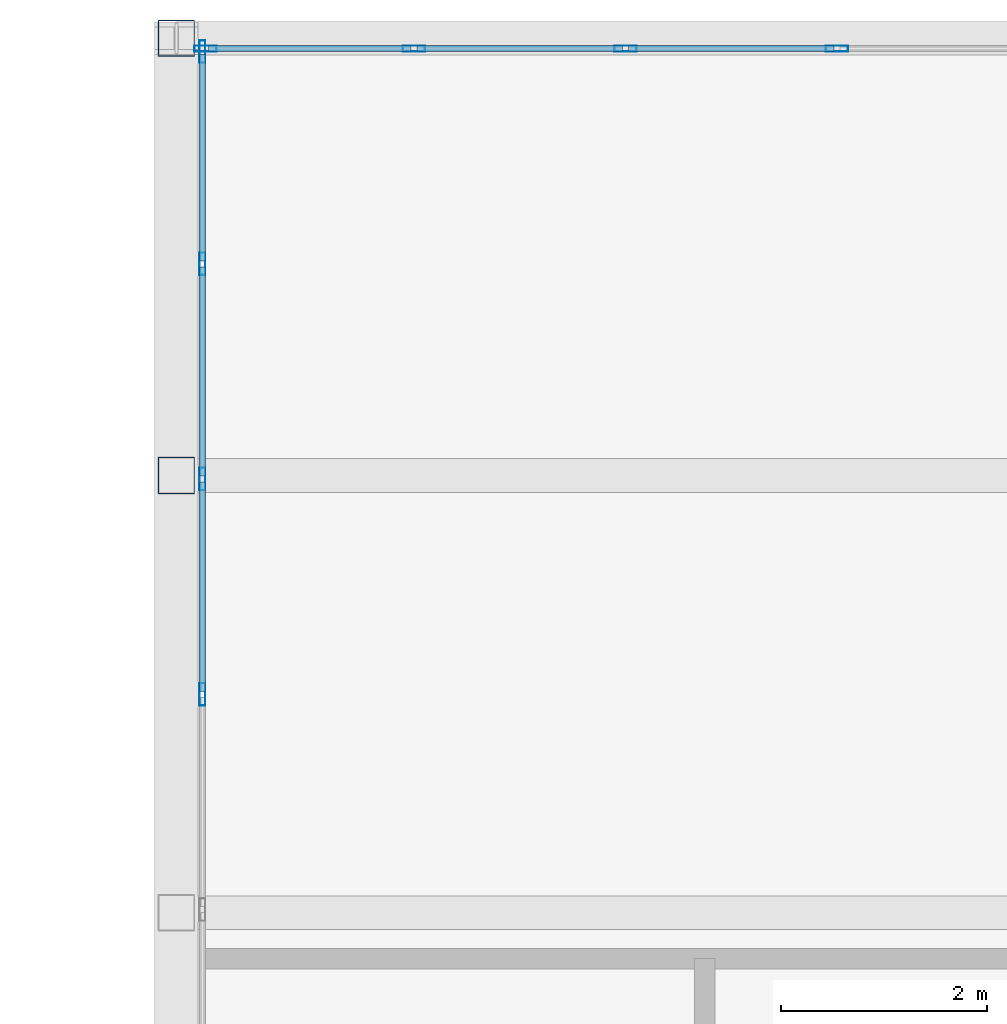
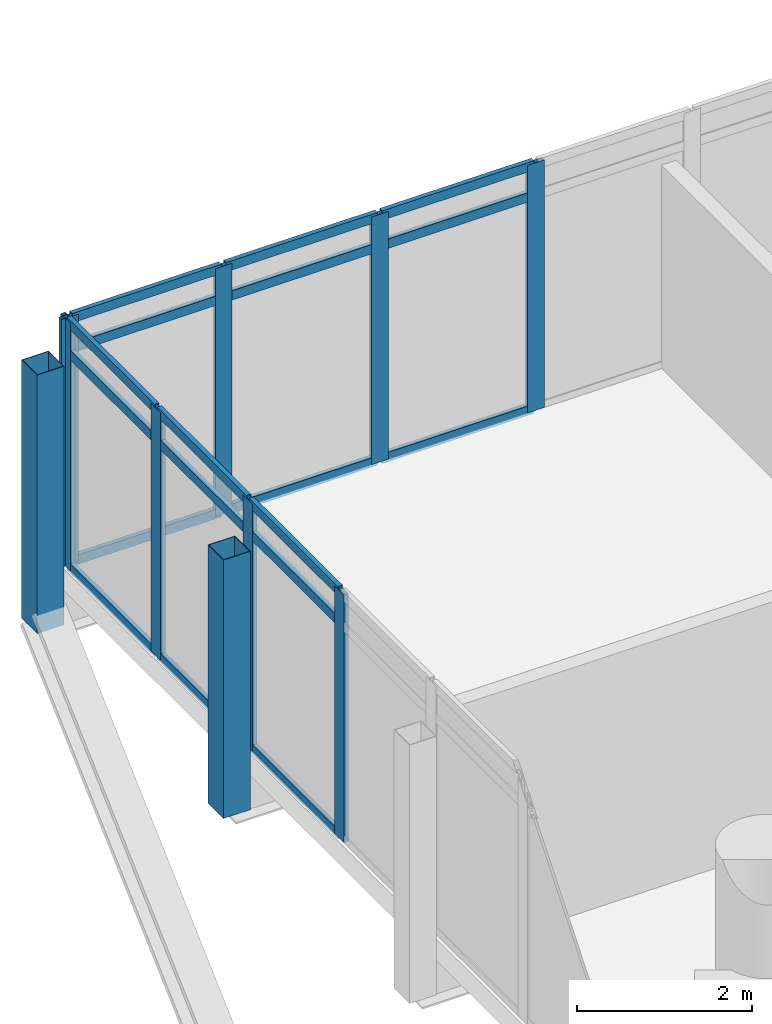
# One storey, part 18 of 37: 28 members, 2 elements without a shape of their own.
"""IFC4 building model written with IfcOpenShell, lengths in metres."""

import ifcopenshell
import ifcopenshell.guid

model = None  # the IFC model being written
_history = None  # IfcOwnerHistory: only IFC2X3 demands one
_inside = {}  # id of a spatial element -> (the spatial element, [elements in it])
_under = {}  # id of a project, library or spatial element -> (it, [spatial elements below it])
_declared = {}  # id of a project -> (the project, [libraries it declares])
_typed = {}  # id of a type object -> (the type object, [elements of that type])
_made_of = {}  # id of a material, layer set ... -> (it, [elements and type objects made of it])


def new_model(schema):
    """Start an empty IFC model of exactly this schema.

    Asked for "IFC4X3", IfcOpenShell would pick the latest addendum, in which some entities
    have other attributes; the version numbers below select the first issue.
    IFC2X3 requires an IfcOwnerHistory on every rooted entity: one is made here for all.
    """
    global model, _history
    if schema == "IFC4X3":
        model = ifcopenshell.file(schema_version=(4, 3, 0, 0))
    else:
        model = ifcopenshell.file(schema=schema)
    _inside.clear()
    _under.clear()
    _declared.clear()
    _typed.clear()
    _made_of.clear()
    _history = None
    if model.schema == "IFC2X3":
        org = make("IfcOrganization", Name="unknown")
        user = make(
            "IfcPersonAndOrganization",
            ThePerson=make("IfcPerson", FamilyName="unknown"),
            TheOrganization=org,
        )
        app = make(
            "IfcApplication",
            ApplicationDeveloper=org,
            Version="unknown",
            ApplicationFullName="unknown",
            ApplicationIdentifier="unknown",
        )
        _history = make(
            "IfcOwnerHistory",
            OwningUser=user,
            OwningApplication=app,
            ChangeAction="ADDED",
            CreationDate=0,
        )
    return model


def make(cls, **values):
    """One entity of the class cls with the attributes given. An attribute that is None is left unset."""
    return model.create_entity(
        cls, **{name: value for name, value in values.items() if value is not None}
    )


def rooted(cls, **values):
    """An entity with a GlobalId (a new one), such as an element, a storey or a relation."""
    return make(cls, GlobalId=ifcopenshell.guid.new(), OwnerHistory=_history, **values)


def si_unit(unit_type, name, prefix=None):
    """IfcSIUnit, for example si_unit("LENGTHUNIT", "METRE", prefix="MILLI")."""
    return make("IfcSIUnit", UnitType=unit_type, Prefix=prefix, Name=name)


def assignment(units):
    """IfcUnitAssignment: the units of a project."""
    return None if units is None else make("IfcUnitAssignment", Units=units)


def point(xyz):
    """IfcCartesianPoint."""
    return None if xyz is None else make("IfcCartesianPoint", Coordinates=xyz)


def direction(xyz):
    """IfcDirection."""
    return None if xyz is None else make("IfcDirection", DirectionRatios=xyz)


def frame(location, z_axis=None, x_axis=None):
    """IfcAxis2Placement3D, a coordinate frame: its origin and axes. An axis left out is left unset."""
    return make(
        "IfcAxis2Placement3D",
        Location=point(location),
        Axis=direction(z_axis),
        RefDirection=direction(x_axis),
    )


def frame_2d(location, x_axis=None):
    """IfcAxis2Placement2D, a coordinate frame in the plane: its origin and x axis."""
    return make(
        "IfcAxis2Placement2D", Location=point(location), RefDirection=direction(x_axis)
    )


def origin():
    """The frame at (0, 0, 0) with its axes left unset."""
    return frame((0.0, 0.0, 0.0))


def origin_2d():
    """The frame at (0, 0) in the plane with its x axis left unset."""
    return frame_2d((0.0, 0.0))


def place(relative_to, where):
    """IfcLocalPlacement: puts the frame where relative to a parent placement (None: the world)."""
    return make(
        "IfcLocalPlacement", PlacementRelTo=relative_to, RelativePlacement=where
    )


def context(
    kind, dimensions, precision=None, world=None, true_north=None, identifier=None
):
    """IfcGeometricRepresentationContext, for example the 3D "Model" context."""
    return make(
        "IfcGeometricRepresentationContext",
        ContextIdentifier=identifier,
        ContextType=kind,
        CoordinateSpaceDimension=dimensions,
        Precision=precision,
        WorldCoordinateSystem=world,
        TrueNorth=true_north,
    )


def subcontext(parent, identifier, kind, view, scale=None):
    """IfcGeometricRepresentationSubContext, for example "Body" below "Model"."""
    return make(
        "IfcGeometricRepresentationSubContext",
        ContextIdentifier=identifier,
        ContextType=kind,
        ParentContext=parent,
        TargetScale=scale,
        TargetView=view,
    )


def project(units=None, contexts=None):
    """IfcProject with its units and contexts."""
    return rooted(
        "IfcProject",
        Name="project",
        RepresentationContexts=contexts,
        UnitsInContext=assignment(units),
    )


def spatial(cls, under=None, at=None, **own):
    """A site, building, storey or space (cls), placed at a placement, below another one or the project."""
    s = rooted(cls, ObjectPlacement=at, **own)
    if under is not None:
        _under.setdefault(under.id(), (under, []))[1].append(s)
    return s


def profile(cls, at=None, kind="AREA", **sizes):
    """A parametric profile (cls). Its sizes go by their IFC names, for example OverallWidth=200.0."""
    return make(cls, ProfileType=kind, Position=at, **sizes)


def hollow_rectangle(**sizes):
    """IfcRectangleHollowProfileDef."""
    return profile("IfcRectangleHollowProfileDef", **sizes)


def extrude(swept, where, along, depth):
    """IfcExtrudedAreaSolid: the profile swept, set in the frame where, extruded along a direction by depth."""
    return make(
        "IfcExtrudedAreaSolid",
        SweptArea=swept,
        Position=where,
        ExtrudedDirection=direction(along),
        Depth=depth,
    )


def shape(context_of_items, identifier, shape_type, items):
    """IfcShapeRepresentation: the items that make up one representation, for example the "Body"."""
    return make(
        "IfcShapeRepresentation",
        ContextOfItems=context_of_items,
        RepresentationIdentifier=identifier,
        RepresentationType=shape_type,
        Items=items,
    )


def material(Name=None, Category=None):
    """IfcMaterial."""
    return make("IfcMaterial", Name=Name, Category=Category)


def material_profile(
    of_material, cross_section, Name=None, Category=None, Priority=None
):
    """IfcMaterialProfile: a cross section and its material."""
    return make(
        "IfcMaterialProfile",
        Name=Name,
        Material=of_material,
        Profile=cross_section,
        Priority=Priority,
        Category=Category,
    )


def profile_set(profiles, Name=None, composite=None):
    """IfcMaterialProfileSet."""
    return make(
        "IfcMaterialProfileSet",
        Name=Name,
        MaterialProfiles=profiles,
        CompositeProfile=composite,
    )


def made_of(thing, what):
    """Note that an element or type object is made of a material, layer set ...; save() writes the relation."""
    if what is not None:
        _made_of.setdefault(what.id(), (what, []))[1].append(thing)
    return thing


def type_object(cls, material=None, **own):
    """A type object (cls), such as IfcWallType, which elements share."""
    return made_of(rooted(cls, **own), material)


def element(
    cls,
    number,
    at=None,
    inside=None,
    cuts=None,
    type_object=None,
    material=None,
    context=None,
    identifier="Body",
    shape_type=None,
    held_by="IfcProductDefinitionShape",
    body=None,
    shapes=None,
    **own,
):
    """One element of the class cls, such as IfcWall. Its Tag is "e" and its number.

    at: its placement. inside: the storey or other place that contains it. cuts: it is an
    opening in that element (IfcRelVoidsElement). A single representation is given by context,
    identifier, shape_type and body (its items); several are given by shapes. held_by: the class
    of the entity that holds the representations. save() writes the other relations.
    """
    e = rooted(cls, Tag="e%d" % number, ObjectPlacement=at, **own)
    if body is not None:
        shapes = [shape(context, identifier, shape_type, body)]
    if shapes is not None:
        e.Representation = make(held_by, Representations=shapes)
    if inside is not None:
        _inside.setdefault(inside.id(), (inside, []))[1].append(e)
    if cuts is not None:
        rooted(
            "IfcRelVoidsElement", RelatingBuildingElement=cuts, RelatedOpeningElement=e
        )
    if type_object is not None:
        _typed.setdefault(type_object.id(), (type_object, []))[1].append(e)
    return made_of(e, material)


def aggregate(whole, parts):
    """IfcRelAggregates: a whole, such as a stair, and the parts it consists of."""
    return rooted("IfcRelAggregates", RelatingObject=whole, RelatedObjects=parts)


def save(model, path):
    """Write the relations noted so far, then the file.

    IfcRelAggregates (storeys below a building ...), IfcRelContainedInSpatialStructure (elements
    in a storey), IfcRelDefinesByType, IfcRelAssociatesMaterial and IfcRelDeclares: one each for
    every whole, place, type object, material and project.
    """
    for whole, parts in _under.values():
        aggregate(whole, parts)
    for where, things in _inside.values():
        rooted(
            "IfcRelContainedInSpatialStructure",
            RelatedElements=things,
            RelatingStructure=where,
        )
    for kind, things in _typed.values():
        rooted("IfcRelDefinesByType", RelatedObjects=things, RelatingType=kind)
    for what, things in _made_of.values():
        rooted("IfcRelAssociatesMaterial", RelatedObjects=things, RelatingMaterial=what)
    for by, libraries in _declared.values():
        rooted("IfcRelDeclares", RelatingContext=by, RelatedDefinitions=libraries)
    model.write(path)


model = new_model("IFC4")

# Units and contexts
model_context = context("Model", 3, precision=1e-05, world=origin(), true_north=direction((0.0, 1.0)))
body_context = subcontext(model_context, "Body", "Model", "MODEL_VIEW")
ifc_project = project(units=[si_unit("LENGTHUNIT", "METRE"), si_unit("AREAUNIT", "SQUARE_METRE"), si_unit("VOLUMEUNIT", "CUBIC_METRE"), si_unit("PLANEANGLEUNIT", "RADIAN"), si_unit("MASSUNIT", "GRAM", prefix="KILO")], contexts=[model_context])

# Site, building, storey
site_placement = place(None, origin())
site = spatial("IfcSite", under=ifc_project, at=site_placement, CompositionType="ELEMENT")
building_placement = place(site_placement, origin())
building = spatial("IfcBuilding", under=site, at=building_placement, Name="Ostrander Bayou Hotel Tower", CompositionType="ELEMENT")
storey_placement = place(building_placement, frame((0.0, 0.0, 93.0)))
storey = spatial("IfcBuildingStorey", under=building, at=storey_placement, Name="L23", CompositionType="ELEMENT", Elevation=93.0)

# Curtain wall, members
ifc_material_1 = material(Name="Aluminium and clear glass", Category="aluminium")
curtain_wall_type = type_object("IfcCurtainWallType", Name="CW-BAR glazed wall", PredefinedType="NOTDEFINED", material=ifc_material_1)
curtain_wall_1_placement = place(storey_placement, origin())
curtain_wall_1 = element("IfcCurtainWall", 1, at=curtain_wall_1_placement, inside=storey, type_object=curtain_wall_type, Name="CW-BAR L23:SB2N:E", PredefinedType="NOTDEFINED")
ifc_material_2 = material(Name="Aluminium", Category="aluminium")
ifc_material_profile_1 = material_profile(ifc_material_2, hollow_rectangle(XDim=0.06005859375, YDim=0.219970703125, WallThickness=0.00390625, at=origin_2d()))
ifc_profile_set_1 = profile_set([ifc_material_profile_1], Name="Aluminium")
member_type_1 = type_object("IfcMemberType", Name="CW-BR mullion 60 x 220 mm", PredefinedType="MULLION", material=ifc_profile_set_1)
member_1_placement = place(storey_placement, frame((-13.3671875, 25.167724609375, 0.0), z_axis=(0.0, 0.0, 1.0), x_axis=(-1.0, 0.0, 0.0)))
member_1 = element("IfcMember", 2, at=member_1_placement, type_object=member_type_1, Name="CW-BAR mullion 8", PredefinedType="MULLION", context=body_context, shape_type="SweptSolid", body=[
    extrude(hollow_rectangle(XDim=0.06005859375, YDim=0.219970703125, WallThickness=0.00390625, at=origin_2d()), origin(), (0.0, 0.0, 1.0), 3.449951171875),
])
member_2_placement = place(storey_placement, frame((-13.3671875, 27.26025390625, 0.0), z_axis=(0.0, 0.0, 1.0), x_axis=(-1.0, 0.0, 0.0)))
member_2 = element("IfcMember", 3, at=member_2_placement, type_object=member_type_1, Name="CW-BAR mullion 9", PredefinedType="MULLION", context=body_context, shape_type="SweptSolid", body=[
    extrude(hollow_rectangle(XDim=0.06005859375, YDim=0.219970703125, WallThickness=0.00390625, at=origin_2d()), origin(), (0.0, 0.0, 1.0), 3.449951171875),
])
member_3_placement = place(storey_placement, frame((-13.3671875, 29.352783203125, 0.0), z_axis=(0.0, 0.0, 1.0), x_axis=(-1.0, 0.0, 0.0)))
member_3 = element("IfcMember", 4, at=member_3_placement, type_object=member_type_1, Name="CW-BAR mullion 10", PredefinedType="MULLION", context=body_context, shape_type="SweptSolid", body=[
    extrude(hollow_rectangle(XDim=0.06005859375, YDim=0.219970703125, WallThickness=0.00390625, at=origin_2d()), origin(), (0.0, 0.0, 1.0), 3.449951171875),
])
member_4_placement = place(storey_placement, frame((-13.3671875, 31.415283203125, 0.0), z_axis=(0.0, 0.0, 1.0), x_axis=(-1.0, 0.0, 0.0)))
member_4 = element("IfcMember", 5, at=member_4_placement, type_object=member_type_1, Name="CW-BAR mullion 11", PredefinedType="MULLION", context=body_context, shape_type="SweptSolid", body=[
    extrude(hollow_rectangle(XDim=0.06005859375, YDim=0.219970703125, WallThickness=0.00390625, at=origin_2d()), origin(), (0.0, 0.0, 1.0), 3.449951171875),
])

curtain_wall_2_placement = place(storey_placement, origin())
curtain_wall_2 = element("IfcCurtainWall", 6, at=curtain_wall_2_placement, inside=storey, type_object=curtain_wall_type, Name="CW-BAR L23:SB2N:T", PredefinedType="NOTDEFINED")
member_5_placement = place(storey_placement, frame((-13.337158203125, 31.4453125, 0.0), z_axis=(0.0, 0.0, 1.0), x_axis=(0.0, 1.0, 0.0)))
member_5 = element("IfcMember", 7, at=member_5_placement, type_object=member_type_1, Name="CW-BAR mullion 1", PredefinedType="MULLION", context=body_context, shape_type="SweptSolid", body=[
    extrude(hollow_rectangle(XDim=0.06005859375, YDim=0.219970703125, WallThickness=0.00390625, at=origin_2d()), origin(), (0.0, 0.0, 1.0), 3.449951171875),
])
member_6_placement = place(storey_placement, frame((-11.310791015625, 31.4453125, 0.0), z_axis=(0.0, 0.0, 1.0), x_axis=(0.0, 1.0, 0.0)))
member_6 = element("IfcMember", 8, at=member_6_placement, type_object=member_type_1, Name="CW-BAR mullion 2", PredefinedType="MULLION", context=body_context, shape_type="SweptSolid", body=[
    extrude(hollow_rectangle(XDim=0.06005859375, YDim=0.219970703125, WallThickness=0.00390625, at=origin_2d()), origin(), (0.0, 0.0, 1.0), 3.449951171875),
])
member_7_placement = place(storey_placement, frame((-9.254150390625, 31.4453125, 0.0), z_axis=(0.0, 0.0, 1.0), x_axis=(0.0, 1.0, 0.0)))
member_7 = element("IfcMember", 9, at=member_7_placement, type_object=member_type_1, Name="CW-BAR mullion 3", PredefinedType="MULLION", context=body_context, shape_type="SweptSolid", body=[
    extrude(hollow_rectangle(XDim=0.06005859375, YDim=0.219970703125, WallThickness=0.00390625, at=origin_2d()), origin(), (0.0, 0.0, 1.0), 3.449951171875),
])
member_8_placement = place(storey_placement, frame((-7.19775390625, 31.4453125, 0.0), z_axis=(0.0, 0.0, 1.0), x_axis=(0.0, 1.0, 0.0)))
member_8 = element("IfcMember", 10, at=member_8_placement, type_object=member_type_1, Name="CW-BAR mullion 4", PredefinedType="MULLION", context=body_context, shape_type="SweptSolid", body=[
    extrude(hollow_rectangle(XDim=0.06005859375, YDim=0.219970703125, WallThickness=0.00390625, at=origin_2d()), origin(), (0.0, 0.0, 1.0), 3.449951171875),
])

# Member
ifc_material_3 = material(Name="Aluminium", Category="aluminium")
ifc_material_profile_2 = material_profile(ifc_material_3, hollow_rectangle(XDim=0.06005859375, YDim=0.1298828125, WallThickness=0.00390625, at=origin_2d()))
ifc_profile_set_2 = profile_set([ifc_material_profile_2], Name="Aluminium")
member_type_2 = type_object("IfcMemberType", Name="CW-BR transom 60 x 130 mm", PredefinedType="USERDEFINED", material=ifc_profile_set_2)
member_9_placement = place(storey_placement, frame((-13.3671875, 25.19775390625, 0.030029296875), z_axis=(0.0, 1.0, 0.0), x_axis=(-1.0, 0.0, 0.0)))
member_9 = element("IfcMember", 11, at=member_9_placement, type_object=member_type_2, Name="CW-BAR transom 8.1", ObjectType="TRANSOM", PredefinedType="USERDEFINED", context=body_context, shape_type="SweptSolid", body=[
    extrude(hollow_rectangle(XDim=0.06005859375, YDim=0.1298828125, WallThickness=0.00390625, at=origin_2d()), origin(), (0.0, 0.0, 1.0), 2.032470703125),
])

member_10_placement = place(storey_placement, frame((-13.3671875, 25.19775390625, 3.0), z_axis=(0.0, 1.0, 0.0), x_axis=(-1.0, 0.0, 0.0)))
member_10 = element("IfcMember", 12, at=member_10_placement, type_object=member_type_2, Name="CW-BAR transom 8.2", ObjectType="TRANSOM", PredefinedType="USERDEFINED", context=body_context, shape_type="SweptSolid", body=[
    extrude(hollow_rectangle(XDim=0.06005859375, YDim=0.1298828125, WallThickness=0.00390625, at=origin_2d()), origin(), (0.0, 0.0, 1.0), 2.032470703125),
])

member_11_placement = place(storey_placement, frame((-13.3671875, 25.19775390625, 3.419921875), z_axis=(0.0, 1.0, 0.0), x_axis=(-1.0, 0.0, 0.0)))
member_11 = element("IfcMember", 13, at=member_11_placement, type_object=member_type_2, Name="CW-BAR transom 8.3", ObjectType="TRANSOM", PredefinedType="USERDEFINED", context=body_context, shape_type="SweptSolid", body=[
    extrude(hollow_rectangle(XDim=0.06005859375, YDim=0.1298828125, WallThickness=0.00390625, at=origin_2d()), origin(), (0.0, 0.0, 1.0), 2.032470703125),
])

member_12_placement = place(storey_placement, frame((-13.3671875, 27.290283203125, 0.030029296875), z_axis=(0.0, 1.0, 0.0), x_axis=(-1.0, 0.0, 0.0)))
member_12 = element("IfcMember", 14, at=member_12_placement, type_object=member_type_2, Name="CW-BAR transom 9.1", ObjectType="TRANSOM", PredefinedType="USERDEFINED", context=body_context, shape_type="SweptSolid", body=[
    extrude(hollow_rectangle(XDim=0.06005859375, YDim=0.1298828125, WallThickness=0.00390625, at=origin_2d()), origin(), (0.0, 0.0, 1.0), 2.032470703125),
])

member_13_placement = place(storey_placement, frame((-13.3671875, 27.290283203125, 3.0), z_axis=(0.0, 1.0, 0.0), x_axis=(-1.0, 0.0, 0.0)))
member_13 = element("IfcMember", 15, at=member_13_placement, type_object=member_type_2, Name="CW-BAR transom 9.2", ObjectType="TRANSOM", PredefinedType="USERDEFINED", context=body_context, shape_type="SweptSolid", body=[
    extrude(hollow_rectangle(XDim=0.06005859375, YDim=0.1298828125, WallThickness=0.00390625, at=origin_2d()), origin(), (0.0, 0.0, 1.0), 2.032470703125),
])

member_14_placement = place(storey_placement, frame((-13.3671875, 27.290283203125, 3.419921875), z_axis=(0.0, 1.0, 0.0), x_axis=(-1.0, 0.0, 0.0)))
member_14 = element("IfcMember", 16, at=member_14_placement, type_object=member_type_2, Name="CW-BAR transom 9.3", ObjectType="TRANSOM", PredefinedType="USERDEFINED", context=body_context, shape_type="SweptSolid", body=[
    extrude(hollow_rectangle(XDim=0.06005859375, YDim=0.1298828125, WallThickness=0.00390625, at=origin_2d()), origin(), (0.0, 0.0, 1.0), 2.032470703125),
])

member_15_placement = place(storey_placement, frame((-13.3671875, 29.3828125, 0.030029296875), z_axis=(0.0, 1.0, 0.0), x_axis=(-1.0, 0.0, 0.0)))
member_15 = element("IfcMember", 17, at=member_15_placement, type_object=member_type_2, Name="CW-BAR transom 10.1", ObjectType="TRANSOM", PredefinedType="USERDEFINED", context=body_context, shape_type="SweptSolid", body=[
    extrude(hollow_rectangle(XDim=0.06005859375, YDim=0.1298828125, WallThickness=0.00390625, at=origin_2d()), origin(), (0.0, 0.0, 1.0), 2.002685546875),
])

member_16_placement = place(storey_placement, frame((-13.3671875, 29.3828125, 3.0), z_axis=(0.0, 1.0, 0.0), x_axis=(-1.0, 0.0, 0.0)))
member_16 = element("IfcMember", 18, at=member_16_placement, type_object=member_type_2, Name="CW-BAR transom 10.2", ObjectType="TRANSOM", PredefinedType="USERDEFINED", context=body_context, shape_type="SweptSolid", body=[
    extrude(hollow_rectangle(XDim=0.06005859375, YDim=0.1298828125, WallThickness=0.00390625, at=origin_2d()), origin(), (0.0, 0.0, 1.0), 2.002685546875),
])

member_17_placement = place(storey_placement, frame((-13.3671875, 29.3828125, 3.419921875), z_axis=(0.0, 1.0, 0.0), x_axis=(-1.0, 0.0, 0.0)))
member_17 = element("IfcMember", 19, at=member_17_placement, type_object=member_type_2, Name="CW-BAR transom 10.3", ObjectType="TRANSOM", PredefinedType="USERDEFINED", context=body_context, shape_type="SweptSolid", body=[
    extrude(hollow_rectangle(XDim=0.06005859375, YDim=0.1298828125, WallThickness=0.00390625, at=origin_2d()), origin(), (0.0, 0.0, 1.0), 2.002685546875),
])

aggregate(curtain_wall_1, [member_1, member_2, member_3, member_4, member_9, member_10, member_11, member_12, member_13, member_14, member_15, member_16, member_17])

member_18_placement = place(storey_placement, frame((-13.30712890625, 31.4453125, 0.030029296875), z_axis=(1.0, 0.0, 0.0), x_axis=(0.0, 1.0, 0.0)))
member_18 = element("IfcMember", 20, at=member_18_placement, type_object=member_type_2, Name="CW-BAR transom 1.1", ObjectType="TRANSOM", PredefinedType="USERDEFINED", context=body_context, shape_type="SweptSolid", body=[
    extrude(hollow_rectangle(XDim=0.06005859375, YDim=0.1298828125, WallThickness=0.00390625, at=origin_2d()), origin(), (0.0, 0.0, 1.0), 1.96630859375),
])

member_19_placement = place(storey_placement, frame((-13.30712890625, 31.4453125, 3.0), z_axis=(1.0, 0.0, 0.0), x_axis=(0.0, 1.0, 0.0)))
member_19 = element("IfcMember", 21, at=member_19_placement, type_object=member_type_2, Name="CW-BAR transom 1.2", ObjectType="TRANSOM", PredefinedType="USERDEFINED", context=body_context, shape_type="SweptSolid", body=[
    extrude(hollow_rectangle(XDim=0.06005859375, YDim=0.1298828125, WallThickness=0.00390625, at=origin_2d()), origin(), (0.0, 0.0, 1.0), 1.96630859375),
])

member_20_placement = place(storey_placement, frame((-13.30712890625, 31.4453125, 3.419921875), z_axis=(1.0, 0.0, 0.0), x_axis=(0.0, 1.0, 0.0)))
member_20 = element("IfcMember", 22, at=member_20_placement, type_object=member_type_2, Name="CW-BAR transom 1.3", ObjectType="TRANSOM", PredefinedType="USERDEFINED", context=body_context, shape_type="SweptSolid", body=[
    extrude(hollow_rectangle(XDim=0.06005859375, YDim=0.1298828125, WallThickness=0.00390625, at=origin_2d()), origin(), (0.0, 0.0, 1.0), 1.96630859375),
])

member_21_placement = place(storey_placement, frame((-11.28076171875, 31.4453125, 0.030029296875), z_axis=(1.0, 0.0, 0.0), x_axis=(0.0, 1.0, 0.0)))
member_21 = element("IfcMember", 23, at=member_21_placement, type_object=member_type_2, Name="CW-BAR transom 2.1", ObjectType="TRANSOM", PredefinedType="USERDEFINED", context=body_context, shape_type="SweptSolid", body=[
    extrude(hollow_rectangle(XDim=0.06005859375, YDim=0.1298828125, WallThickness=0.00390625, at=origin_2d()), origin(), (0.0, 0.0, 1.0), 1.99658203125),
])

member_22_placement = place(storey_placement, frame((-11.28076171875, 31.4453125, 3.0), z_axis=(1.0, 0.0, 0.0), x_axis=(0.0, 1.0, 0.0)))
member_22 = element("IfcMember", 24, at=member_22_placement, type_object=member_type_2, Name="CW-BAR transom 2.2", ObjectType="TRANSOM", PredefinedType="USERDEFINED", context=body_context, shape_type="SweptSolid", body=[
    extrude(hollow_rectangle(XDim=0.06005859375, YDim=0.1298828125, WallThickness=0.00390625, at=origin_2d()), origin(), (0.0, 0.0, 1.0), 1.99658203125),
])

member_23_placement = place(storey_placement, frame((-11.28076171875, 31.4453125, 3.419921875), z_axis=(1.0, 0.0, 0.0), x_axis=(0.0, 1.0, 0.0)))
member_23 = element("IfcMember", 25, at=member_23_placement, type_object=member_type_2, Name="CW-BAR transom 2.3", ObjectType="TRANSOM", PredefinedType="USERDEFINED", context=body_context, shape_type="SweptSolid", body=[
    extrude(hollow_rectangle(XDim=0.06005859375, YDim=0.1298828125, WallThickness=0.00390625, at=origin_2d()), origin(), (0.0, 0.0, 1.0), 1.99658203125),
])

member_24_placement = place(storey_placement, frame((-9.22412109375, 31.4453125, 0.030029296875), z_axis=(1.0, 0.0, 0.0), x_axis=(0.0, 1.0, 0.0)))
member_24 = element("IfcMember", 26, at=member_24_placement, type_object=member_type_2, Name="CW-BAR transom 3.1", ObjectType="TRANSOM", PredefinedType="USERDEFINED", context=body_context, shape_type="SweptSolid", body=[
    extrude(hollow_rectangle(XDim=0.06005859375, YDim=0.1298828125, WallThickness=0.00390625, at=origin_2d()), origin(), (0.0, 0.0, 1.0), 1.996337890625),
])

member_25_placement = place(storey_placement, frame((-9.22412109375, 31.4453125, 3.0), z_axis=(1.0, 0.0, 0.0), x_axis=(0.0, 1.0, 0.0)))
member_25 = element("IfcMember", 27, at=member_25_placement, type_object=member_type_2, Name="CW-BAR transom 3.2", ObjectType="TRANSOM", PredefinedType="USERDEFINED", context=body_context, shape_type="SweptSolid", body=[
    extrude(hollow_rectangle(XDim=0.06005859375, YDim=0.1298828125, WallThickness=0.00390625, at=origin_2d()), origin(), (0.0, 0.0, 1.0), 1.996337890625),
])

member_26_placement = place(storey_placement, frame((-9.22412109375, 31.4453125, 3.419921875), z_axis=(1.0, 0.0, 0.0), x_axis=(0.0, 1.0, 0.0)))
member_26 = element("IfcMember", 28, at=member_26_placement, type_object=member_type_2, Name="CW-BAR transom 3.3", ObjectType="TRANSOM", PredefinedType="USERDEFINED", context=body_context, shape_type="SweptSolid", body=[
    extrude(hollow_rectangle(XDim=0.06005859375, YDim=0.1298828125, WallThickness=0.00390625, at=origin_2d()), origin(), (0.0, 0.0, 1.0), 1.996337890625),
])

aggregate(curtain_wall_2, [member_5, member_6, member_7, member_8, member_18, member_19, member_20, member_21, member_22, member_23, member_24, member_25, member_26])

# Members
ifc_material_4 = material(Name="Steel ASTM A500 Gr C", Category="steel")
ifc_material_profile_3 = material_profile(ifc_material_4, hollow_rectangle(XDim=0.355712890625, YDim=0.355712890625, WallThickness=0.0087890625, at=origin_2d()))
ifc_profile_set_3 = profile_set([ifc_material_profile_3], Name="Steel ASTM A500 Gr C")
member_type_3 = type_object("IfcMemberType", Name="TH3 bar hanger HSS14x14x3/8", PredefinedType="POST", material=ifc_profile_set_3)
for number, where, z_axis, x_axis, name in (
    (29, (-13.6201171875, 31.54541015625, -0.771728515625), (0.0, 0.0, 1.0), (1.0, 0.0, 0.0), "TH3 SB2WA H1-1"),
    (30, (-13.6201171875, 27.295654296875, -0.771728515625), (0.0, 0.0, 1.0), (1.0, 0.0, 0.0), "TH3 SB2WA H2-1"),
):
    element("IfcMember", number, at=place(storey_placement, frame(where, z_axis=z_axis, x_axis=x_axis)), inside=storey, type_object=member_type_3, Name=name, PredefinedType="POST", context=body_context, shape_type="SweptSolid", body=[
        extrude(hollow_rectangle(XDim=0.355712890625, YDim=0.355712890625, WallThickness=0.0087890625, at=origin_2d()), origin(), (0.0, 0.0, 1.0), 3.599853515625),
    ])

save(model, "model.ifc")
